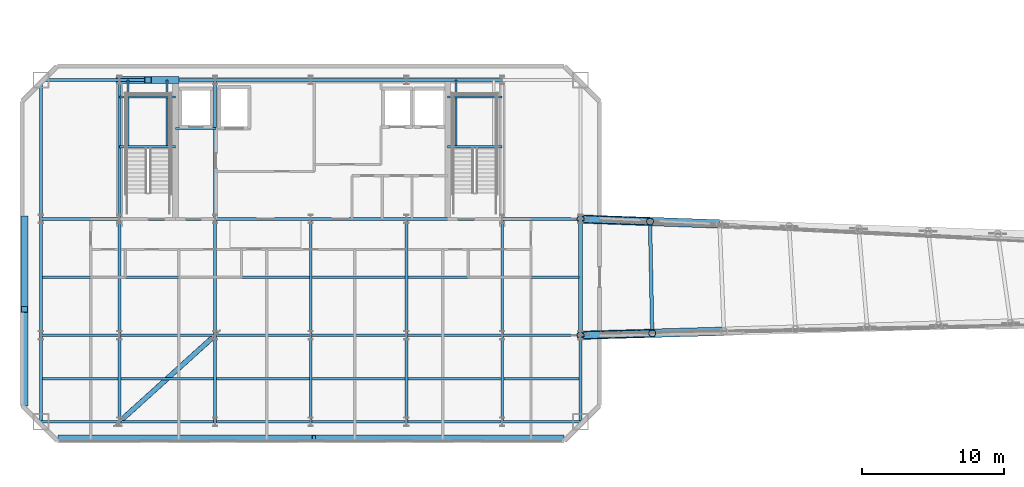
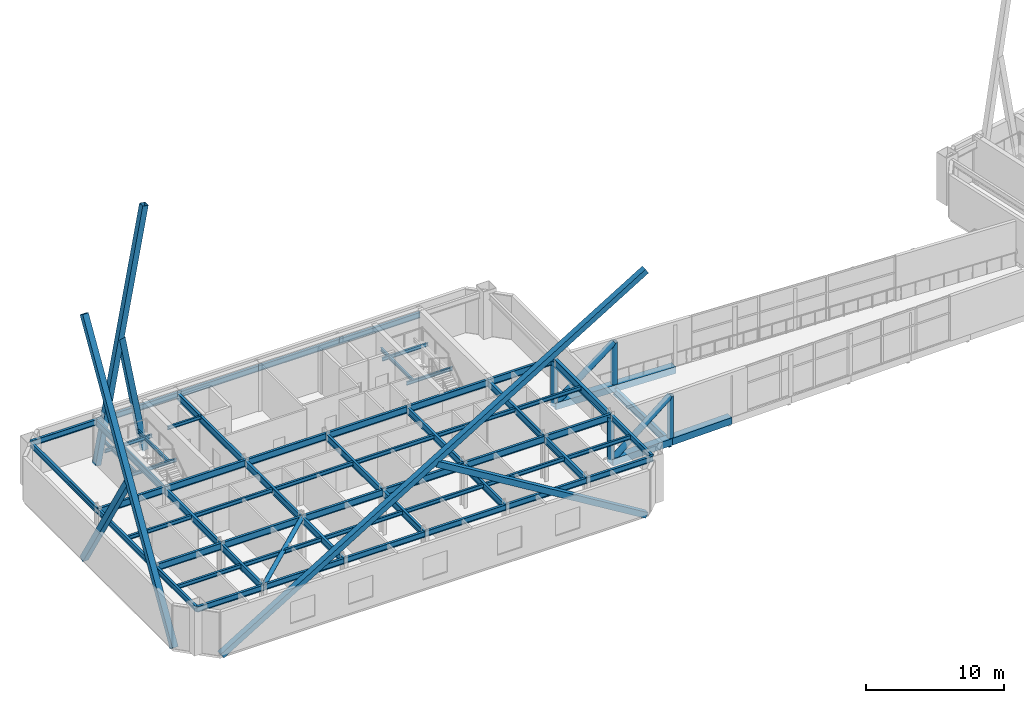
# One storey, part 3 of 23: 61 beams, 17 members.
"""IFC4 building model written with IfcOpenShell, lengths in metres."""

from ifc_helpers import new_model, si_unit, direction, frame, origin, origin_2d, place, context, subcontext, project, spatial, hollow_rectangle, hollow_circle, i_section, extrude, material, material_profile, profile_set, type_object, element, save


model = new_model("IFC4")

# Units and contexts
model_context = context("Model", 3, precision=1e-05, world=origin(), true_north=direction((0.0, 1.0)))
body_context = subcontext(model_context, "Body", "Model", "MODEL_VIEW")
ifc_project = project(units=[si_unit("LENGTHUNIT", "METRE"), si_unit("AREAUNIT", "SQUARE_METRE"), si_unit("VOLUMEUNIT", "CUBIC_METRE"), si_unit("PLANEANGLEUNIT", "RADIAN"), si_unit("MASSUNIT", "GRAM", prefix="KILO")], contexts=[model_context])

# Site, building, storey
site_placement = place(None, origin())
site = spatial("IfcSite", under=ifc_project, at=site_placement, CompositionType="ELEMENT")
building_placement = place(site_placement, origin())
building = spatial("IfcBuilding", under=site, at=building_placement, Name="Haevon Station Towers", CompositionType="ELEMENT")
storey_placement = place(building_placement, frame((0.0, 0.0, 197.10009765625)))
storey = spatial("IfcBuildingStorey", under=building, at=storey_placement, Name="L54", CompositionType="ELEMENT", Elevation=197.10009765625)

# Beams
ifc_material_1 = material(Name="Steel S355", Category="steel")
ifc_material_profile_1 = material_profile(ifc_material_1, i_section(OverallWidth=0.199951171875, OverallDepth=0.60009765625, WebThickness=0.010986328125, FlangeThickness=0.01708984375, at=origin_2d()), Name="H-600x200x11x17")
ifc_profile_set_1 = profile_set([ifc_material_profile_1], Name="Steel S355")
beam_type_1 = type_object("IfcBeamType", Name="BM-G600", PredefinedType="BEAM", material=ifc_profile_set_1)
beam_1_placement = place(storey_placement, frame((18.47509765625, 30.0, 3.599853515625), z_axis=(1.0, 0.0, 0.0), x_axis=(0.0, 1.0, 0.0)))
element("IfcBeam", 1, at=beam_1_placement, inside=storey, type_object=beam_type_1, Name="BM-T1U-L54-02-01", PredefinedType="BEAM", context=body_context, shape_type="SweptSolid", body=[
    extrude(i_section(OverallWidth=0.199951171875, OverallDepth=0.60009765625, WebThickness=0.010986328125, FlangeThickness=0.01708984375, at=origin_2d()), origin(), (0.0, 0.0, 1.0), 5.52490234375),
])
for number, where, z_axis, x_axis, name in (
    (2, (24.0, 30.0, 3.599853515625), (1.0, 0.0, 0.0), (0.0, 1.0, 0.0), "BM-T1U-L54-02-02"),
    (3, (30.75, 30.0, 3.599853515625), (1.0, 0.0, 0.0), (0.0, 1.0, 0.0), "BM-T1U-L54-02-03"),
    (4, (37.5, 30.0, 3.599853515625), (1.0, 0.0, 0.0), (0.0, 1.0, 0.0), "BM-T1U-L54-02-04"),
    (5, (44.25, 30.0, 3.599853515625), (1.0, 0.0, 0.0), (0.0, 1.0, 0.0), "BM-T1U-L54-02-05"),
):
    element("IfcBeam", number, at=place(storey_placement, frame(where, z_axis=z_axis, x_axis=x_axis)), inside=storey, type_object=beam_type_1, Name=name, PredefinedType="BEAM", context=body_context, shape_type="SweptSolid", body=[
        extrude(i_section(OverallWidth=0.199951171875, OverallDepth=0.60009765625, WebThickness=0.010986328125, FlangeThickness=0.01708984375, at=origin_2d()), origin(), (0.0, 0.0, 1.0), 6.75),
    ])
for number, where, z_axis, x_axis, name in (
    (6, (51.0, 30.0, 3.599853515625), (1.0, 0.0, 0.0), (0.0, 1.0, 0.0), "BM-T1U-L54-02-06"),
    (7, (18.47509765625, 38.199951171875, 3.599853515625), (1.0, 0.0, 0.0), (0.0, 1.0, 0.0), "BM-T1U-L54-03-01"),
):
    element("IfcBeam", number, at=place(storey_placement, frame(where, z_axis=z_axis, x_axis=x_axis)), inside=storey, type_object=beam_type_1, Name=name, PredefinedType="BEAM", context=body_context, shape_type="SweptSolid", body=[
        extrude(i_section(OverallWidth=0.199951171875, OverallDepth=0.60009765625, WebThickness=0.010986328125, FlangeThickness=0.01708984375, at=origin_2d()), origin(), (0.0, 0.0, 1.0), 5.52490234375),
    ])
for number, where, z_axis, x_axis, name in (
    (8, (24.0, 38.199951171875, 3.599853515625), (1.0, 0.0, 0.0), (0.0, 1.0, 0.0), "BM-T1U-L54-03-02"),
    (9, (30.75, 38.199951171875, 3.599853515625), (1.0, 0.0, 0.0), (0.0, 1.0, 0.0), "BM-T1U-L54-03-03"),
    (10, (37.5, 38.199951171875, 3.599853515625), (1.0, 0.0, 0.0), (0.0, 1.0, 0.0), "BM-T1U-L54-03-04"),
    (11, (44.25, 38.199951171875, 3.599853515625), (1.0, 0.0, 0.0), (0.0, 1.0, 0.0), "BM-T1U-L54-03-05"),
):
    element("IfcBeam", number, at=place(storey_placement, frame(where, z_axis=z_axis, x_axis=x_axis)), inside=storey, type_object=beam_type_1, Name=name, PredefinedType="BEAM", context=body_context, shape_type="SweptSolid", body=[
        extrude(i_section(OverallWidth=0.199951171875, OverallDepth=0.60009765625, WebThickness=0.010986328125, FlangeThickness=0.01708984375, at=origin_2d()), origin(), (0.0, 0.0, 1.0), 6.75),
    ])
beam_2_placement = place(storey_placement, frame((51.0, 38.199951171875, 3.599853515625), z_axis=(1.0, 0.0, 0.0), x_axis=(0.0, 1.0, 0.0)))
element("IfcBeam", 12, at=beam_2_placement, inside=storey, type_object=beam_type_1, Name="BM-T1U-L54-03-06", PredefinedType="BEAM", context=body_context, shape_type="SweptSolid", body=[
    extrude(i_section(OverallWidth=0.199951171875, OverallDepth=0.60009765625, WebThickness=0.010986328125, FlangeThickness=0.01708984375, at=origin_2d()), origin(), (0.0, 0.0, 1.0), 5.52490234375),
])
beam_3_placement = place(storey_placement, frame((24.0, 23.89990234375, 3.599853515625), z_axis=(0.0, 1.0, 0.0), x_axis=(-1.0, 0.0, 0.0)))
element("IfcBeam", 13, at=beam_3_placement, inside=storey, type_object=beam_type_1, Name="BM-T1V-L54-02-01", PredefinedType="BEAM", context=body_context, shape_type="SweptSolid", body=[
    extrude(i_section(OverallWidth=0.199951171875, OverallDepth=0.60009765625, WebThickness=0.010986328125, FlangeThickness=0.01708984375, at=origin_2d()), origin(), (0.0, 0.0, 1.0), 6.10009765625),
])
beam_4_placement = place(storey_placement, frame((24.0, 30.0, 3.599853515625), z_axis=(0.0, 1.0, 0.0), x_axis=(-1.0, 0.0, 0.0)))
element("IfcBeam", 14, at=beam_4_placement, inside=storey, type_object=beam_type_1, Name="BM-T1V-L54-02-02", PredefinedType="BEAM", context=body_context, shape_type="SweptSolid", body=[
    extrude(i_section(OverallWidth=0.199951171875, OverallDepth=0.60009765625, WebThickness=0.010986328125, FlangeThickness=0.01708984375, at=origin_2d()), origin(), (0.0, 0.0, 1.0), 8.199951171875),
])
beam_5_placement = place(storey_placement, frame((24.0, 38.199951171875, 3.599853515625), z_axis=(0.0, 1.0, 0.0), x_axis=(-1.0, 0.0, 0.0)))
element("IfcBeam", 15, at=beam_5_placement, inside=storey, type_object=beam_type_1, Name="BM-T1V-L54-02-03", PredefinedType="BEAM", context=body_context, shape_type="SweptSolid", body=[
    extrude(i_section(OverallWidth=0.199951171875, OverallDepth=0.60009765625, WebThickness=0.010986328125, FlangeThickness=0.01708984375, at=origin_2d()), origin(), (0.0, 0.0, 1.0), 9.800048828125),
])
beam_6_placement = place(storey_placement, frame((30.75, 23.89990234375, 3.599853515625), z_axis=(0.0, 1.0, 0.0), x_axis=(-1.0, 0.0, 0.0)))
element("IfcBeam", 16, at=beam_6_placement, inside=storey, type_object=beam_type_1, Name="BM-T1V-L54-03-01", PredefinedType="BEAM", context=body_context, shape_type="SweptSolid", body=[
    extrude(i_section(OverallWidth=0.199951171875, OverallDepth=0.60009765625, WebThickness=0.010986328125, FlangeThickness=0.01708984375, at=origin_2d()), origin(), (0.0, 0.0, 1.0), 6.10009765625),
])
beam_7_placement = place(storey_placement, frame((30.75, 30.0, 3.599853515625), z_axis=(0.0, 1.0, 0.0), x_axis=(-1.0, 0.0, 0.0)))
element("IfcBeam", 17, at=beam_7_placement, inside=storey, type_object=beam_type_1, Name="BM-T1V-L54-03-02", PredefinedType="BEAM", context=body_context, shape_type="SweptSolid", body=[
    extrude(i_section(OverallWidth=0.199951171875, OverallDepth=0.60009765625, WebThickness=0.010986328125, FlangeThickness=0.01708984375, at=origin_2d()), origin(), (0.0, 0.0, 1.0), 8.199951171875),
])
beam_8_placement = place(storey_placement, frame((30.75, 38.199951171875, 3.599853515625), z_axis=(0.0, 1.0, 0.0), x_axis=(-1.0, 0.0, 0.0)))
element("IfcBeam", 18, at=beam_8_placement, inside=storey, type_object=beam_type_1, Name="BM-T1V-L54-03-03", PredefinedType="BEAM", context=body_context, shape_type="SweptSolid", body=[
    extrude(i_section(OverallWidth=0.199951171875, OverallDepth=0.60009765625, WebThickness=0.010986328125, FlangeThickness=0.01708984375, at=origin_2d()), origin(), (0.0, 0.0, 1.0), 9.800048828125),
])
beam_9_placement = place(storey_placement, frame((37.5, 23.89990234375, 3.599853515625), z_axis=(0.0, 1.0, 0.0), x_axis=(-1.0, 0.0, 0.0)))
element("IfcBeam", 19, at=beam_9_placement, inside=storey, type_object=beam_type_1, Name="BM-T1V-L54-04-01", PredefinedType="BEAM", context=body_context, shape_type="SweptSolid", body=[
    extrude(i_section(OverallWidth=0.199951171875, OverallDepth=0.60009765625, WebThickness=0.010986328125, FlangeThickness=0.01708984375, at=origin_2d()), origin(), (0.0, 0.0, 1.0), 6.10009765625),
])
beam_10_placement = place(storey_placement, frame((37.5, 30.0, 3.599853515625), z_axis=(0.0, 1.0, 0.0), x_axis=(-1.0, 0.0, 0.0)))
element("IfcBeam", 20, at=beam_10_placement, inside=storey, type_object=beam_type_1, Name="BM-T1V-L54-04-02", PredefinedType="BEAM", context=body_context, shape_type="SweptSolid", body=[
    extrude(i_section(OverallWidth=0.199951171875, OverallDepth=0.60009765625, WebThickness=0.010986328125, FlangeThickness=0.01708984375, at=origin_2d()), origin(), (0.0, 0.0, 1.0), 8.199951171875),
])
beam_11_placement = place(storey_placement, frame((44.25, 23.89990234375, 3.599853515625), z_axis=(0.0, 1.0, 0.0), x_axis=(-1.0, 0.0, 0.0)))
element("IfcBeam", 21, at=beam_11_placement, inside=storey, type_object=beam_type_1, Name="BM-T1V-L54-05-01", PredefinedType="BEAM", context=body_context, shape_type="SweptSolid", body=[
    extrude(i_section(OverallWidth=0.199951171875, OverallDepth=0.60009765625, WebThickness=0.010986328125, FlangeThickness=0.01708984375, at=origin_2d()), origin(), (0.0, 0.0, 1.0), 6.10009765625),
])
beam_12_placement = place(storey_placement, frame((44.25, 30.0, 3.599853515625), z_axis=(0.0, 1.0, 0.0), x_axis=(-1.0, 0.0, 0.0)))
element("IfcBeam", 22, at=beam_12_placement, inside=storey, type_object=beam_type_1, Name="BM-T1V-L54-05-02", PredefinedType="BEAM", context=body_context, shape_type="SweptSolid", body=[
    extrude(i_section(OverallWidth=0.199951171875, OverallDepth=0.60009765625, WebThickness=0.010986328125, FlangeThickness=0.01708984375, at=origin_2d()), origin(), (0.0, 0.0, 1.0), 8.199951171875),
])
beam_13_placement = place(storey_placement, frame((51.0, 23.89990234375, 3.599853515625), z_axis=(0.0, 1.0, 0.0), x_axis=(-1.0, 0.0, 0.0)))
element("IfcBeam", 23, at=beam_13_placement, inside=storey, type_object=beam_type_1, Name="BM-T1V-L54-06-01", PredefinedType="BEAM", context=body_context, shape_type="SweptSolid", body=[
    extrude(i_section(OverallWidth=0.199951171875, OverallDepth=0.60009765625, WebThickness=0.010986328125, FlangeThickness=0.01708984375, at=origin_2d()), origin(), (0.0, 0.0, 1.0), 6.10009765625),
])
beam_14_placement = place(storey_placement, frame((51.0, 30.0, 3.599853515625), z_axis=(0.0, 1.0, 0.0), x_axis=(-1.0, 0.0, 0.0)))
element("IfcBeam", 24, at=beam_14_placement, inside=storey, type_object=beam_type_1, Name="BM-T1V-L54-06-02", PredefinedType="BEAM", context=body_context, shape_type="SweptSolid", body=[
    extrude(i_section(OverallWidth=0.199951171875, OverallDepth=0.60009765625, WebThickness=0.010986328125, FlangeThickness=0.01708984375, at=origin_2d()), origin(), (0.0, 0.0, 1.0), 8.199951171875),
])
ifc_material_profile_2 = material_profile(ifc_material_1, i_section(OverallWidth=0.25, OverallDepth=0.64990234375, WebThickness=0.012939453125, FlangeThickness=0.02197265625, at=origin_2d()), Name="H-650x250x13x22")
ifc_profile_set_2 = profile_set([ifc_material_profile_2], Name="Steel S355")
beam_type_2 = type_object("IfcBeamType", Name="BM-G650", PredefinedType="BEAM", material=ifc_profile_set_2)
beam_15_placement = place(storey_placement, frame((61.581298828125, 30.141845703125, -0.625), z_axis=(-0.019133178652, 0.999816943983, 0.0), x_axis=(-0.999816943983, -0.019133178652, 0.0)))
element("IfcBeam", 25, at=beam_15_placement, inside=storey, type_object=beam_type_2, Name="BM-SKP-L54-1", PredefinedType="BEAM", context=body_context, shape_type="SweptSolid", body=[
    extrude(i_section(OverallWidth=0.25, OverallDepth=0.64990234375, WebThickness=0.012939453125, FlangeThickness=0.02197265625, at=origin_2d()), origin(), (0.0, 0.0, 1.0), 7.8857421875),
])
ifc_material_profile_3 = material_profile(ifc_material_1, i_section(OverallWidth=0.25, OverallDepth=0.699951171875, WebThickness=0.012939453125, FlangeThickness=0.02392578125, at=origin_2d()), Name="H-700x250x13x24")
ifc_profile_set_3 = profile_set([ifc_material_profile_3], Name="Steel S355")
beam_type_3 = type_object("IfcBeamType", Name="BM-G700", PredefinedType="BEAM", material=ifc_profile_set_3)
beam_16_placement = place(storey_placement, frame((56.52490234375, 30.0, 3.5498046875), z_axis=(0.0, 1.0, 0.0), x_axis=(-1.0, 0.0, 0.0)))
element("IfcBeam", 26, at=beam_16_placement, inside=storey, type_object=beam_type_3, Name="BM-T1V-L54-07-02", PredefinedType="BEAM", context=body_context, shape_type="SweptSolid", body=[
    extrude(i_section(OverallWidth=0.25, OverallDepth=0.699951171875, WebThickness=0.012939453125, FlangeThickness=0.02392578125, at=origin_2d()), origin(), (0.0, 0.0, 1.0), 8.199951171875),
])
ifc_material_profile_4 = material_profile(ifc_material_1, i_section(OverallWidth=0.175048828125, OverallDepth=0.35009765625, WebThickness=0.007080078125, FlangeThickness=0.010986328125, at=origin_2d()), Name="H-350x175x7x11")
ifc_profile_set_4 = profile_set([ifc_material_profile_4], Name="Steel S355")
beam_type_4 = type_object("IfcBeamType", Name="BM-J350", PredefinedType="JOIST", material=ifc_profile_set_4)
beam_17_placement = place(storey_placement, frame((18.5849609375, 26.949951171875, 3.724853515625), z_axis=(1.0, 0.0, 0.0), x_axis=(0.0, 1.0, 0.0)))
element("IfcBeam", 27, at=beam_17_placement, inside=storey, type_object=beam_type_4, Name="BM-T1J-L54-01-01", PredefinedType="JOIST", context=body_context, shape_type="SweptSolid", body=[
    extrude(i_section(OverallWidth=0.175048828125, OverallDepth=0.35009765625, WebThickness=0.007080078125, FlangeThickness=0.010986328125, at=origin_2d()), origin(), (0.0, 0.0, 1.0), 5.304931640625),
])
for number, where, z_axis, x_axis, name in (
    (28, (24.110107421875, 26.949951171875, 3.724853515625), (1.0, 0.0, 0.0), (0.0, 1.0, 0.0), "BM-T1J-L54-01-02"),
    (29, (30.860107421875, 26.949951171875, 3.724853515625), (1.0, 0.0, 0.0), (0.0, 1.0, 0.0), "BM-T1J-L54-01-03"),
    (30, (37.610107421875, 26.949951171875, 3.724853515625), (1.0, 0.0, 0.0), (0.0, 1.0, 0.0), "BM-T1J-L54-01-04"),
    (31, (44.360107421875, 26.949951171875, 3.724853515625), (1.0, 0.0, 0.0), (0.0, 1.0, 0.0), "BM-T1J-L54-01-05"),
):
    element("IfcBeam", number, at=place(storey_placement, frame(where, z_axis=z_axis, x_axis=x_axis)), inside=storey, type_object=beam_type_4, Name=name, PredefinedType="JOIST", context=body_context, shape_type="SweptSolid", body=[
        extrude(i_section(OverallWidth=0.175048828125, OverallDepth=0.35009765625, WebThickness=0.007080078125, FlangeThickness=0.010986328125, at=origin_2d()), origin(), (0.0, 0.0, 1.0), 6.52978515625),
    ])
for number, where, z_axis, x_axis, name in (
    (32, (51.110107421875, 26.949951171875, 3.724853515625), (1.0, 0.0, 0.0), (0.0, 1.0, 0.0), "BM-T1J-L54-01-06"),
    (33, (18.5849609375, 34.10009765625, 3.724853515625), (1.0, 0.0, 0.0), (0.0, 1.0, 0.0), "BM-T1J-L54-02-01"),
):
    element("IfcBeam", number, at=place(storey_placement, frame(where, z_axis=z_axis, x_axis=x_axis)), inside=storey, type_object=beam_type_4, Name=name, PredefinedType="JOIST", context=body_context, shape_type="SweptSolid", body=[
        extrude(i_section(OverallWidth=0.175048828125, OverallDepth=0.35009765625, WebThickness=0.007080078125, FlangeThickness=0.010986328125, at=origin_2d()), origin(), (0.0, 0.0, 1.0), 5.304931640625),
    ])
for number, where, z_axis, x_axis, name in (
    (34, (24.110107421875, 34.10009765625, 3.724853515625), (1.0, 0.0, 0.0), (0.0, 1.0, 0.0), "BM-T1J-L54-02-02"),
    (35, (30.860107421875, 34.10009765625, 3.724853515625), (1.0, 0.0, 0.0), (0.0, 1.0, 0.0), "BM-T1J-L54-02-03"),
    (36, (37.610107421875, 34.10009765625, 3.724853515625), (1.0, 0.0, 0.0), (0.0, 1.0, 0.0), "BM-T1J-L54-02-04"),
    (37, (44.360107421875, 34.10009765625, 3.724853515625), (1.0, 0.0, 0.0), (0.0, 1.0, 0.0), "BM-T1J-L54-02-05"),
):
    element("IfcBeam", number, at=place(storey_placement, frame(where, z_axis=z_axis, x_axis=x_axis)), inside=storey, type_object=beam_type_4, Name=name, PredefinedType="JOIST", context=body_context, shape_type="SweptSolid", body=[
        extrude(i_section(OverallWidth=0.175048828125, OverallDepth=0.35009765625, WebThickness=0.007080078125, FlangeThickness=0.010986328125, at=origin_2d()), origin(), (0.0, 0.0, 1.0), 6.52978515625),
    ])
beam_18_placement = place(storey_placement, frame((51.110107421875, 34.10009765625, 3.724853515625), z_axis=(1.0, 0.0, 0.0), x_axis=(0.0, 1.0, 0.0)))
element("IfcBeam", 38, at=beam_18_placement, inside=storey, type_object=beam_type_4, Name="BM-T1J-L54-02-06", PredefinedType="JOIST", context=body_context, shape_type="SweptSolid", body=[
    extrude(i_section(OverallWidth=0.175048828125, OverallDepth=0.35009765625, WebThickness=0.007080078125, FlangeThickness=0.010986328125, at=origin_2d()), origin(), (0.0, 0.0, 1.0), 5.304931640625),
])
ifc_material_profile_5 = material_profile(ifc_material_1, i_section(OverallWidth=0.14990234375, OverallDepth=0.300048828125, WebThickness=0.006591796875, FlangeThickness=0.009033203125, at=origin_2d()), Name="H-300x150x6.5x9")
ifc_profile_set_5 = profile_set([ifc_material_profile_5], Name="Steel S355")
beam_type_5 = type_object("IfcBeamType", Name="BM-LIN300", PredefinedType="LINTEL", material=ifc_profile_set_5)
for number, where, z_axis, x_axis, name in (
    (39, (24.0, 43.303955078125, 1.75), (1.0, 0.0, 0.0), (0.0, 1.0, 0.0), "BM-ST1L-L54-1-S"),
    (40, (24.0, 46.820068359375, 1.75), (1.0, 0.0, 0.0), (0.0, 1.0, 0.0), "BM-ST1L-L54-1-N"),
):
    element("IfcBeam", number, at=place(storey_placement, frame(where, z_axis=z_axis, x_axis=x_axis)), inside=storey, type_object=beam_type_5, Name=name, PredefinedType="LINTEL", context=body_context, shape_type="SweptSolid", body=[
        extrude(i_section(OverallWidth=0.14990234375, OverallDepth=0.300048828125, WebThickness=0.006591796875, FlangeThickness=0.009033203125, at=origin_2d()), origin(), (0.0, 0.0, 1.0), 3.949951171875),
    ])
for number, where, z_axis, x_axis, name in (
    (41, (24.60009765625, 43.303955078125, 1.75), (0.0, 1.0, 0.0), (-1.0, 0.0, 0.0), "BM-ST1L-L54-1-W"),
    (42, (27.35009765625, 43.303955078125, 1.75), (0.0, 1.0, 0.0), (-1.0, 0.0, 0.0), "BM-ST1L-L54-1-E"),
):
    element("IfcBeam", number, at=place(storey_placement, frame(where, z_axis=z_axis, x_axis=x_axis)), inside=storey, type_object=beam_type_5, Name=name, PredefinedType="LINTEL", context=body_context, shape_type="SweptSolid", body=[
        extrude(i_section(OverallWidth=0.14990234375, OverallDepth=0.300048828125, WebThickness=0.006591796875, FlangeThickness=0.009033203125, at=origin_2d()), origin(), (0.0, 0.0, 1.0), 4.696044921875),
    ])
for number, where, z_axis, x_axis, name in (
    (43, (47.14990234375, 43.303955078125, 1.75), (1.0, 0.0, 0.0), (0.0, 1.0, 0.0), "BM-ST2L-L54-1-S"),
    (44, (47.14990234375, 46.820068359375, 1.75), (1.0, 0.0, 0.0), (0.0, 1.0, 0.0), "BM-ST2L-L54-1-N"),
):
    element("IfcBeam", number, at=place(storey_placement, frame(where, z_axis=z_axis, x_axis=x_axis)), inside=storey, type_object=beam_type_5, Name=name, PredefinedType="LINTEL", context=body_context, shape_type="SweptSolid", body=[
        extrude(i_section(OverallWidth=0.14990234375, OverallDepth=0.300048828125, WebThickness=0.006591796875, FlangeThickness=0.009033203125, at=origin_2d()), origin(), (0.0, 0.0, 1.0), 3.85009765625),
    ])
beam_19_placement = place(storey_placement, frame((47.75, 43.303955078125, 1.75), z_axis=(0.0, 1.0, 0.0), x_axis=(-1.0, 0.0, 0.0)))
element("IfcBeam", 45, at=beam_19_placement, inside=storey, type_object=beam_type_5, Name="BM-ST2L-L54-1-W", PredefinedType="LINTEL", context=body_context, shape_type="SweptSolid", body=[
    extrude(i_section(OverallWidth=0.14990234375, OverallDepth=0.300048828125, WebThickness=0.006591796875, FlangeThickness=0.009033203125, at=origin_2d()), origin(), (0.0, 0.0, 1.0), 4.696044921875),
])
beam_20_placement = place(storey_placement, frame((27.949951171875, 44.60009765625, 3.75), z_axis=(1.0, 0.0, 0.0), x_axis=(0.0, 1.0, 0.0)))
element("IfcBeam", 46, at=beam_20_placement, inside=storey, type_object=beam_type_5, Name="BM-T1LIN-L54", PredefinedType="LINTEL", context=body_context, shape_type="SweptSolid", body=[
    extrude(i_section(OverallWidth=0.14990234375, OverallDepth=0.300048828125, WebThickness=0.006591796875, FlangeThickness=0.009033203125, at=origin_2d()), origin(), (0.0, 0.0, 1.0), 2.85009765625),
])
ifc_material_profile_6 = material_profile(ifc_material_1, i_section(OverallWidth=0.199951171875, OverallDepth=0.5, WebThickness=0.010009765625, FlangeThickness=0.01611328125, at=origin_2d()), Name="H-500x200x10x16")
ifc_profile_set_6 = profile_set([ifc_material_profile_6], Name="Steel S355")
beam_type_6 = type_object("IfcBeamType", Name="BM-SP500", PredefinedType="SPANDREL", material=ifc_profile_set_6)
beam_21_placement = place(storey_placement, frame((18.47509765625, 23.89990234375, 3.64990234375), z_axis=(1.0, 0.0, 0.0), x_axis=(0.0, 1.0, 0.0)))
element("IfcBeam", 47, at=beam_21_placement, inside=storey, type_object=beam_type_6, Name="BM-T1U-L54-01-01", PredefinedType="SPANDREL", context=body_context, shape_type="SweptSolid", body=[
    extrude(i_section(OverallWidth=0.199951171875, OverallDepth=0.5, WebThickness=0.010009765625, FlangeThickness=0.01611328125, at=origin_2d()), origin(), (0.0, 0.0, 1.0), 5.52490234375),
])
for number, where, z_axis, x_axis, name in (
    (48, (24.0, 23.89990234375, 3.64990234375), (1.0, 0.0, 0.0), (0.0, 1.0, 0.0), "BM-T1U-L54-01-02"),
    (49, (30.75, 23.89990234375, 3.64990234375), (1.0, 0.0, 0.0), (0.0, 1.0, 0.0), "BM-T1U-L54-01-03"),
    (50, (37.5, 23.89990234375, 3.64990234375), (1.0, 0.0, 0.0), (0.0, 1.0, 0.0), "BM-T1U-L54-01-04"),
    (51, (44.25, 23.89990234375, 3.64990234375), (1.0, 0.0, 0.0), (0.0, 1.0, 0.0), "BM-T1U-L54-01-05"),
):
    element("IfcBeam", number, at=place(storey_placement, frame(where, z_axis=z_axis, x_axis=x_axis)), inside=storey, type_object=beam_type_6, Name=name, PredefinedType="SPANDREL", context=body_context, shape_type="SweptSolid", body=[
        extrude(i_section(OverallWidth=0.199951171875, OverallDepth=0.5, WebThickness=0.010009765625, FlangeThickness=0.01611328125, at=origin_2d()), origin(), (0.0, 0.0, 1.0), 6.75),
    ])
for number, where, z_axis, x_axis, name in (
    (52, (51.0, 23.89990234375, 3.64990234375), (1.0, 0.0, 0.0), (0.0, 1.0, 0.0), "BM-T1U-L54-01-06"),
    (53, (18.47509765625, 48.0, 3.64990234375), (1.0, 0.0, 0.0), (0.0, 1.0, 0.0), "BM-T1U-L54-04-01"),
):
    element("IfcBeam", number, at=place(storey_placement, frame(where, z_axis=z_axis, x_axis=x_axis)), inside=storey, type_object=beam_type_6, Name=name, PredefinedType="SPANDREL", context=body_context, shape_type="SweptSolid", body=[
        extrude(i_section(OverallWidth=0.199951171875, OverallDepth=0.5, WebThickness=0.010009765625, FlangeThickness=0.01611328125, at=origin_2d()), origin(), (0.0, 0.0, 1.0), 5.52490234375),
    ])
for number, where, z_axis, x_axis, name in (
    (54, (24.0, 48.0, 3.64990234375), (1.0, 0.0, 0.0), (0.0, 1.0, 0.0), "BM-T1U-L54-04-02"),
    (55, (30.75, 48.0, 3.64990234375), (1.0, 0.0, 0.0), (0.0, 1.0, 0.0), "BM-T1U-L54-04-03"),
    (56, (37.5, 48.0, 3.64990234375), (1.0, 0.0, 0.0), (0.0, 1.0, 0.0), "BM-T1U-L54-04-04"),
    (57, (44.25, 48.0, 3.64990234375), (1.0, 0.0, 0.0), (0.0, 1.0, 0.0), "BM-T1U-L54-04-05"),
):
    element("IfcBeam", number, at=place(storey_placement, frame(where, z_axis=z_axis, x_axis=x_axis)), inside=storey, type_object=beam_type_6, Name=name, PredefinedType="SPANDREL", context=body_context, shape_type="SweptSolid", body=[
        extrude(i_section(OverallWidth=0.199951171875, OverallDepth=0.5, WebThickness=0.010009765625, FlangeThickness=0.01611328125, at=origin_2d()), origin(), (0.0, 0.0, 1.0), 6.75),
    ])
beam_22_placement = place(storey_placement, frame((18.47509765625, 23.89990234375, 3.64990234375), z_axis=(0.0, 1.0, 0.0), x_axis=(-1.0, 0.0, 0.0)))
element("IfcBeam", 58, at=beam_22_placement, inside=storey, type_object=beam_type_6, Name="BM-T1V-L54-01-01", PredefinedType="SPANDREL", context=body_context, shape_type="SweptSolid", body=[
    extrude(i_section(OverallWidth=0.199951171875, OverallDepth=0.5, WebThickness=0.010009765625, FlangeThickness=0.01611328125, at=origin_2d()), origin(), (0.0, 0.0, 1.0), 6.10009765625),
])
beam_23_placement = place(storey_placement, frame((18.47509765625, 30.0, 3.64990234375), z_axis=(0.0, 1.0, 0.0), x_axis=(-1.0, 0.0, 0.0)))
element("IfcBeam", 59, at=beam_23_placement, inside=storey, type_object=beam_type_6, Name="BM-T1V-L54-01-02", PredefinedType="SPANDREL", context=body_context, shape_type="SweptSolid", body=[
    extrude(i_section(OverallWidth=0.199951171875, OverallDepth=0.5, WebThickness=0.010009765625, FlangeThickness=0.01611328125, at=origin_2d()), origin(), (0.0, 0.0, 1.0), 8.199951171875),
])
beam_24_placement = place(storey_placement, frame((18.47509765625, 38.199951171875, 3.64990234375), z_axis=(0.0, 1.0, 0.0), x_axis=(-1.0, 0.0, 0.0)))
element("IfcBeam", 60, at=beam_24_placement, inside=storey, type_object=beam_type_6, Name="BM-T1V-L54-01-03", PredefinedType="SPANDREL", context=body_context, shape_type="SweptSolid", body=[
    extrude(i_section(OverallWidth=0.199951171875, OverallDepth=0.5, WebThickness=0.010009765625, FlangeThickness=0.01611328125, at=origin_2d()), origin(), (0.0, 0.0, 1.0), 9.800048828125),
])
beam_25_placement = place(storey_placement, frame((56.52490234375, 23.89990234375, 3.64990234375), z_axis=(0.0, 1.0, 0.0), x_axis=(-1.0, 0.0, 0.0)))
element("IfcBeam", 61, at=beam_25_placement, inside=storey, type_object=beam_type_6, Name="BM-T1V-L54-07-01", PredefinedType="SPANDREL", context=body_context, shape_type="SweptSolid", body=[
    extrude(i_section(OverallWidth=0.199951171875, OverallDepth=0.5, WebThickness=0.010009765625, FlangeThickness=0.01611328125, at=origin_2d()), origin(), (0.0, 0.0, 1.0), 6.10009765625),
])

# Members
ifc_material_2 = material(Name="Steel S460", Category="steel")
ifc_material_profile_7 = material_profile(ifc_material_2, hollow_circle(Radius=0.25390625, WallThickness=0.02197265625, at=origin_2d()), Name="CHS-508x22")
ifc_profile_set_7 = profile_set([ifc_material_profile_7], Name="Steel S460")
member_type_1 = type_object("IfcMemberType", Name="BRSKP-508", PredefinedType="BRACE", material=ifc_profile_set_7)
member_1_placement = place(storey_placement, frame((56.52490234375, 30.0, -0.300048828125), z_axis=(0.787858988182, 0.022101592011, 0.615458962378), x_axis=(-0.028041693993, 0.999606754378, 0.0)))
element("IfcMember", 62, at=member_1_placement, inside=storey, type_object=member_type_1, Name="BR-SKP-S-L54-1", PredefinedType="BRACE", context=body_context, shape_type="SweptSolid", body=[
    extrude(hollow_circle(Radius=0.25390625, WallThickness=0.02197265625, at=origin_2d()), origin(), (0.0, 0.0, 1.0), 6.41796875),
])
member_2_placement = place(storey_placement, frame((56.52490234375, 38.199951171875, -0.300048828125), z_axis=(0.778590487144, -0.027589530028, 0.626925570671), x_axis=(0.035412999913, 0.999372763005, 0.0)))
element("IfcMember", 63, at=member_2_placement, inside=storey, type_object=member_type_1, Name="BR-SKP-N-L54-1", PredefinedType="BRACE", context=body_context, shape_type="SweptSolid", body=[
    extrude(hollow_circle(Radius=0.25390625, WallThickness=0.02197265625, at=origin_2d()), origin(), (0.0, 0.0, 1.0), 6.300537109375),
])
ifc_material_profile_8 = material_profile(ifc_material_2, hollow_rectangle(XDim=0.60009765625, YDim=0.60009765625, WallThickness=0.030029296875, at=origin_2d()), Name="RHS-600x600x30")
ifc_profile_set_8 = profile_set([ifc_material_profile_8], Name="Steel S460")
member_type_2 = type_object("IfcMemberType", Name="CHSKP-600", PredefinedType="CHORD", material=ifc_profile_set_8)
member_3_placement = place(storey_placement, frame((56.52490234375, 30.0, -0.300048828125), z_axis=(0.999606754378, 0.028041693993, 0.0), x_axis=(-0.028041693993, 0.999606754378, 0.0)))
element("IfcMember", 64, at=member_3_placement, inside=storey, type_object=member_type_2, Name="CH-SKP-S-BOT-1", PredefinedType="CHORD", context=body_context, shape_type="SweptSolid", body=[
    extrude(hollow_rectangle(XDim=0.60009765625, YDim=0.60009765625, WallThickness=0.030029296875, at=origin_2d()), origin(), (0.0, 0.0, 1.0), 5.058349609375),
])
member_4_placement = place(storey_placement, frame((61.581298828125, 30.141845703125, -0.300048828125), z_axis=(0.999606716423, 0.028043046946, 0.0), x_axis=(-0.028043046946, 0.999606716423, 0.0)))
element("IfcMember", 65, at=member_4_placement, inside=storey, type_object=member_type_2, Name="CH-SKP-S-BOT-2", PredefinedType="CHORD", context=body_context, shape_type="SweptSolid", body=[
    extrude(hollow_rectangle(XDim=0.60009765625, YDim=0.60009765625, WallThickness=0.030029296875, at=origin_2d()), origin(), (0.0, 0.0, 1.0), 5.05810546875),
])
for number, where, z_axis, x_axis, name in (
    (66, (56.52490234375, 38.199951171875, -0.300048828125), (0.999372763005, -0.035412999913, 0.0), (0.035412999913, 0.999372763005, 0.0), "CH-SKP-N-BOT-1"),
    (67, (61.430419921875, 38.026123046875, -0.300048828125), (0.99937100153, -0.035462674767, 0.0), (0.035462674767, 0.99937100153, 0.0), "CH-SKP-N-BOT-2"),
):
    element("IfcMember", number, at=place(storey_placement, frame(where, z_axis=z_axis, x_axis=x_axis)), inside=storey, type_object=member_type_2, Name=name, PredefinedType="CHORD", context=body_context, shape_type="SweptSolid", body=[
        extrude(hollow_rectangle(XDim=0.60009765625, YDim=0.60009765625, WallThickness=0.030029296875, at=origin_2d()), origin(), (0.0, 0.0, 1.0), 4.90869140625),
    ])
ifc_material_profile_9 = material_profile(ifc_material_2, hollow_rectangle(XDim=0.47998046875, YDim=0.47998046875, WallThickness=0.02490234375, at=origin_2d()), Name="RHS-480x480x25")
ifc_profile_set_9 = profile_set([ifc_material_profile_9], Name="Steel S460")
member_type_3 = type_object("IfcMemberType", Name="MB-480", PredefinedType="BRACE", material=ifc_profile_set_9)
member_5_placement = place(storey_placement, frame((19.77490234375, 22.72998046875, -0.1201171875), z_axis=(0.854287499526, 0.0, 0.519800796608), x_axis=(0.0, 1.0, 0.0)))
element("IfcMember", 68, at=member_5_placement, inside=storey, type_object=member_type_3, Name="BR-T1MB-T08-S-D1", PredefinedType="BRACE", context=body_context, shape_type="SweptSolid", body=[
    extrude(hollow_rectangle(XDim=0.47998046875, YDim=0.47998046875, WallThickness=0.02490234375, at=origin_2d()), origin(), (0.0, 0.0, 1.0), 41.496826171875),
])
member_6_placement = place(storey_placement, frame((55.22509765625, 22.72998046875, -0.1201171875), z_axis=(-0.854286638531, 0.0, 0.519802211641), x_axis=(0.0, -1.0, 0.0)))
element("IfcMember", 69, at=member_6_placement, inside=storey, type_object=member_type_3, Name="BR-T1MB-T08-S-D2A", PredefinedType="BRACE", context=body_context, shape_type="SweptSolid", body=[
    extrude(hollow_rectangle(XDim=0.47998046875, YDim=0.47998046875, WallThickness=0.02490234375, at=origin_2d()), origin(), (0.0, 0.0, 1.0), 20.496337890625),
])
member_7_placement = place(storey_placement, frame((24.0, 48.0, -0.1201171875), z_axis=(0.180126620856, 0.0, 0.983643431564), x_axis=(0.0, 1.0, 0.0)))
element("IfcMember", 70, at=member_7_placement, inside=storey, type_object=member_type_3, Name="BR-T1MB-T08-N-D1", PredefinedType="BRACE", context=body_context, shape_type="SweptSolid", body=[
    extrude(hollow_rectangle(XDim=0.47998046875, YDim=0.47998046875, WallThickness=0.02490234375, at=origin_2d()), origin(), (0.0, 0.0, 1.0), 21.9287109375),
])
member_8_placement = place(storey_placement, frame((27.949951171875, 48.0, -0.1201171875), z_axis=(-0.18011471881, 0.0, 0.983645611014), x_axis=(0.0, -1.0, 0.0)))
element("IfcMember", 71, at=member_8_placement, inside=storey, type_object=member_type_3, Name="BR-T1MB-T08-N-D2A", PredefinedType="BRACE", context=body_context, shape_type="SweptSolid", body=[
    extrude(hollow_rectangle(XDim=0.47998046875, YDim=0.47998046875, WallThickness=0.02490234375, at=origin_2d()), origin(), (0.0, 0.0, 1.0), 10.71240234375),
])
member_9_placement = place(storey_placement, frame((17.304931640625, 25.199951171875, -0.1201171875), z_axis=(0.0, 0.51618692954, 0.856475950492), x_axis=(-1.0, 0.0, 0.0)))
element("IfcMember", 72, at=member_9_placement, inside=storey, type_object=member_type_3, Name="BR-T1MB-T08-W-D1", PredefinedType="BRACE", context=body_context, shape_type="SweptSolid", body=[
    extrude(hollow_rectangle(XDim=0.47998046875, YDim=0.47998046875, WallThickness=0.02490234375, at=origin_2d()), origin(), (0.0, 0.0, 1.0), 25.1845703125),
])
member_10_placement = place(storey_placement, frame((17.304931640625, 38.199951171875, -0.1201171875), z_axis=(0.0, -0.516188042084, 0.856475279976), x_axis=(1.0, 0.0, 0.0)))
element("IfcMember", 73, at=member_10_placement, inside=storey, type_object=member_type_3, Name="BR-T1MB-T08-W-D2A", PredefinedType="BRACE", context=body_context, shape_type="SweptSolid", body=[
    extrude(hollow_rectangle(XDim=0.47998046875, YDim=0.47998046875, WallThickness=0.02490234375, at=origin_2d()), origin(), (0.0, 0.0, 1.0), 12.34033203125),
])
ifc_material_profile_10 = material_profile(ifc_material_2, hollow_circle(Radius=0.25390625, WallThickness=0.02197265625, at=origin_2d()), Name="CHS-508x22")
ifc_profile_set_10 = profile_set([ifc_material_profile_10], Name="Steel S460")
member_type_4 = type_object("IfcMemberType", Name="PSSKP-508", PredefinedType="POST", material=ifc_profile_set_10)
for number, where, z_axis, x_axis, name in (
    (74, (56.52490234375, 30.0, -0.300048828125), (0.0, 0.0, 1.0), (1.0, 0.0, 0.0), "PS-SKP-S-L54-1"),
    (75, (61.581298828125, 30.141845703125, -0.300048828125), (0.0, 0.0, 1.0), (1.0, 0.0, 0.0), "PS-SKP-S-L54-2"),
    (76, (56.52490234375, 38.199951171875, -0.300048828125), (0.0, 0.0, 1.0), (1.0, 0.0, 0.0), "PS-SKP-N-L54-1"),
    (77, (61.430419921875, 38.026123046875, -0.300048828125), (0.0, 0.0, 1.0), (1.0, 0.0, 0.0), "PS-SKP-N-L54-2"),
):
    element("IfcMember", number, at=place(storey_placement, frame(where, z_axis=z_axis, x_axis=x_axis)), inside=storey, type_object=member_type_4, Name=name, PredefinedType="POST", context=body_context, shape_type="SweptSolid", body=[
        extrude(hollow_circle(Radius=0.25390625, WallThickness=0.02197265625, at=origin_2d()), origin(), (0.0, 0.0, 1.0), 3.949951171875),
    ])
ifc_material_profile_11 = material_profile(ifc_material_1, hollow_circle(Radius=0.177734375, WallThickness=0.01611328125, at=origin_2d()), Name="CHS-355.6x16")
ifc_profile_set_11 = profile_set([ifc_material_profile_11], Name="Steel S355")
member_type_5 = type_object("IfcMemberType", Name="STTIE-356", PredefinedType="STRUT", material=ifc_profile_set_11)
member_11_placement = place(storey_placement, frame((24.0, 23.89990234375, 3.739990234375), z_axis=(0.74192090962, 0.670487407688, 0.0), x_axis=(-0.670487407688, 0.74192090962, 0.0)))
element("IfcMember", 78, at=member_11_placement, inside=storey, type_object=member_type_5, Name="ST-T1TIE-L54", PredefinedType="STRUT", context=body_context, shape_type="SweptSolid", body=[
    extrude(hollow_circle(Radius=0.177734375, WallThickness=0.01611328125, at=origin_2d()), origin(), (0.0, 0.0, 1.0), 9.097900390625),
])

save(model, "model.ifc")
